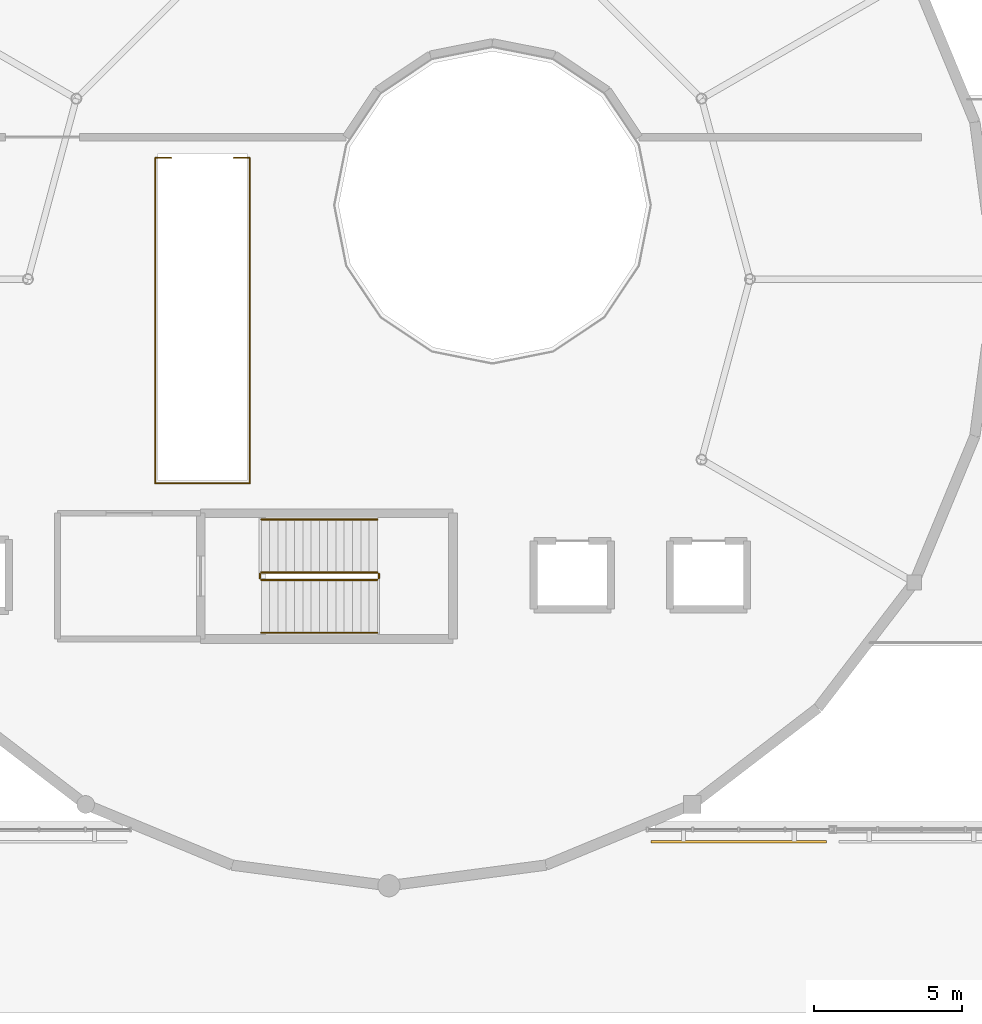
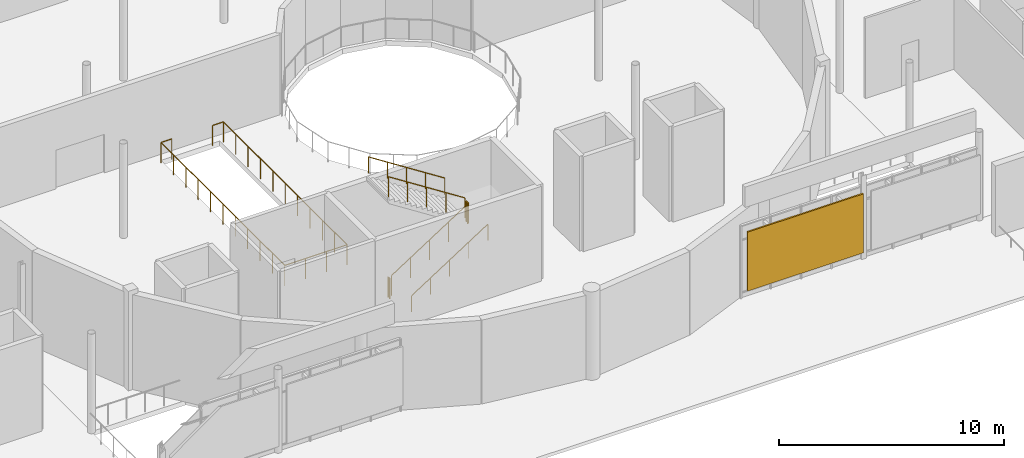
# One storey, part 93 of 105: 7 railings, 1 shading device.
"""IFC4 building model written with IfcOpenShell, lengths in metres."""

from ifc_helpers import new_model, si_unit, direction, frame, origin, origin_2d, place, context, subcontext, project, spatial, rectangle, circle, extrude, material, layer, layer_set, type_object, element, save


model = new_model("IFC4")

# Units and contexts
model_context = context("Model", 3, precision=1e-05, world=origin(), true_north=direction((0.0, 1.0)))
body_context = subcontext(model_context, "Body", "Model", "MODEL_VIEW")
ifc_project = project(units=[si_unit("LENGTHUNIT", "METRE"), si_unit("AREAUNIT", "SQUARE_METRE"), si_unit("VOLUMEUNIT", "CUBIC_METRE"), si_unit("PLANEANGLEUNIT", "RADIAN"), si_unit("MASSUNIT", "GRAM", prefix="KILO")], contexts=[model_context])

# Site, building, storey
site_placement = place(None, origin())
site = spatial("IfcSite", under=ifc_project, at=site_placement, CompositionType="ELEMENT")
building_placement = place(site_placement, origin())
building = spatial("IfcBuilding", under=site, at=building_placement, Name="Mirzam Square Science Centre", CompositionType="ELEMENT")
storey_placement = place(building_placement, frame((0.0, 0.0, 5.39990234375)))
storey = spatial("IfcBuildingStorey", under=building, at=storey_placement, Name="L01", CompositionType="ELEMENT", Elevation=5.39990234375)

# Railings
ifc_material_1 = material(Name="Bronze-Anodised Architectural Balustrade", Category="aluminium")
railing_type_1 = type_object("IfcRailingType", Name="RL-INT-GUARD-1100", PredefinedType="GUARDRAIL", material=ifc_material_1)
railing_1_placement = place(storey_placement, frame((76.68994140625, 51.840087890625, 0.18017578125)))
element("IfcRailing", 1, at=railing_1_placement, inside=storey, type_object=railing_type_1, Name="L01 ST-03 stair guard 1", PredefinedType="GUARDRAIL", context=body_context, shape_type="SweptSolid", body=[
    extrude(circle(Radius=0.02392578125, at=origin_2d()), frame((0.0, 0.0, 1.076171875), z_axis=(0.841186985886, 0.0, 0.540744352514), x_axis=(0.0, 1.0, 0.0)), (0.0, 0.0, 1.0), 4.660400390625),
    extrude(circle(Radius=0.02099609375, at=origin_2d()), origin(), (0.0, 0.0, 1.0), 1.052001953125),
    extrude(circle(Radius=0.02099609375, at=origin_2d()), frame((0.97998046875, 0.0, 0.6298828125)), (0.0, 0.0, 1.0), 1.052001953125),
    extrude(circle(Radius=0.02099609375, at=origin_2d()), frame((1.9599609375, 0.0, 1.260009765625)), (0.0, 0.0, 1.0), 1.052001953125),
    extrude(circle(Radius=0.02099609375, at=origin_2d()), frame((2.940185546875, 0.0, 1.89013671875)), (0.0, 0.0, 1.0), 1.052001953125),
    extrude(circle(Radius=0.02099609375, at=origin_2d()), frame((3.920166015625, 0.0, 2.52001953125)), (0.0, 0.0, 1.0), 1.052001953125),
])
railing_2_placement = place(storey_placement, frame((80.659912109375, 51.889892578125, 2.7001953125)))
element("IfcRailing", 2, at=railing_2_placement, inside=storey, type_object=railing_type_1, Name="L01 ST-03 stair guard 2", PredefinedType="GUARDRAIL", context=body_context, shape_type="SweptSolid", body=[
    extrude(circle(Radius=0.02392578125, at=origin_2d()), frame((0.0, 0.0, 1.076171875), z_axis=(0.0, 1.0, 0.0), x_axis=(-1.0, 0.0, 0.0)), (0.0, 0.0, 1.0), 0.150146484375),
    extrude(circle(Radius=0.02099609375, at=origin_2d()), origin(), (0.0, 0.0, 1.0), 1.052001953125),
    extrude(circle(Radius=0.02099609375, at=origin_2d()), frame((0.0, 0.150146484375, 0.0)), (0.0, 0.0, 1.0), 1.052001953125),
])
railing_3_placement = place(storey_placement, frame((80.610107421875, 52.090087890625, 2.880126953125)))
element("IfcRailing", 3, at=railing_3_placement, inside=storey, type_object=railing_type_1, Name="L01 ST-03 stair guard 3", PredefinedType="GUARDRAIL", context=body_context, shape_type="SweptSolid", body=[
    extrude(circle(Radius=0.02392578125, at=origin_2d()), frame((0.0, 0.0, 1.076171875), z_axis=(-0.841186985886, 0.0, 0.540744352514), x_axis=(0.0, -1.0, 0.0)), (0.0, 0.0, 1.0), 4.660400390625),
    extrude(circle(Radius=0.02099609375, at=origin_2d()), origin(), (0.0, 0.0, 1.0), 1.052001953125),
    extrude(circle(Radius=0.02099609375, at=origin_2d()), frame((-0.97998046875, 0.0, 0.6298828125)), (0.0, 0.0, 1.0), 1.052001953125),
    extrude(circle(Radius=0.02099609375, at=origin_2d()), frame((-1.9599609375, 0.0, 1.260009765625)), (0.0, 0.0, 1.0), 1.052001953125),
    extrude(circle(Radius=0.02099609375, at=origin_2d()), frame((-2.940185546875, 0.0, 1.89013671875)), (0.0, 0.0, 1.0), 1.052001953125),
    extrude(circle(Radius=0.02099609375, at=origin_2d()), frame((-3.920166015625, 0.0, 2.52001953125)), (0.0, 0.0, 1.0), 1.052001953125),
])
railing_4_placement = place(storey_placement, frame((76.639892578125, 51.889892578125, 0.0)))
element("IfcRailing", 4, at=railing_4_placement, inside=storey, type_object=railing_type_1, Name="L01 ST-03 stair guard 4", PredefinedType="GUARDRAIL", context=body_context, shape_type="SweptSolid", body=[
    extrude(circle(Radius=0.02392578125, at=origin_2d()), frame((0.0, 0.0, 1.076171875), z_axis=(0.0, 1.0, 0.0), x_axis=(-1.0, 0.0, 0.0)), (0.0, 0.0, 1.0), 0.150146484375),
    extrude(circle(Radius=0.02099609375, at=origin_2d()), origin(), (0.0, 0.0, 1.0), 1.052001953125),
    extrude(circle(Radius=0.02099609375, at=origin_2d()), frame((0.0, 0.150146484375, 0.0)), (0.0, 0.0, 1.0), 1.052001953125),
])
railing_5_placement = place(storey_placement, frame((75.75, 66.10009765625, 0.0)))
element("IfcRailing", 5, at=railing_5_placement, inside=storey, type_object=railing_type_1, Name="L01 rot-stair-void edge guard", PredefinedType="GUARDRAIL", context=body_context, shape_type="SweptSolid", body=[
    extrude(circle(Radius=0.02392578125, at=origin_2d()), frame((0.0, 0.0, 1.09619140625), z_axis=(1.0, 0.0, 0.0), x_axis=(0.0, 1.0, 0.0)), (0.0, 0.0, 1.0), 0.550048828125),
    extrude(circle(Radius=0.02392578125, at=origin_2d()), frame((0.550048828125, 0.0, 1.09619140625), z_axis=(0.0, -1.0, 0.0), x_axis=(1.0, 0.0, 0.0)), (0.0, 0.0, 1.0), 11.0),
    extrude(circle(Radius=0.02392578125, at=origin_2d()), frame((0.550048828125, -11.0, 1.09619140625), z_axis=(-1.0, 0.0, 0.0), x_axis=(0.0, -1.0, 0.0)), (0.0, 0.0, 1.0), 3.199951171875),
    extrude(circle(Radius=0.02392578125, at=origin_2d()), frame((-2.64990234375, -11.0, 1.09619140625), z_axis=(0.0, 1.0, 0.0), x_axis=(-1.0, 0.0, 0.0)), (0.0, 0.0, 1.0), 11.0),
    extrude(circle(Radius=0.02392578125, at=origin_2d()), frame((-2.64990234375, 0.0, 1.09619140625), z_axis=(1.0, 0.0, 0.0), x_axis=(0.0, 1.0, 0.0)), (0.0, 0.0, 1.0), 0.5498046875),
    extrude(circle(Radius=0.02099609375, at=origin_2d()), origin(), (0.0, 0.0, 1.0), 1.072021484375),
    extrude(circle(Radius=0.02099609375, at=origin_2d()), frame((0.550048828125, 0.0, 0.0)), (0.0, 0.0, 1.0), 1.072021484375),
    extrude(circle(Radius=0.02099609375, at=origin_2d()), frame((0.550048828125, -1.10009765625, 0.0)), (0.0, 0.0, 1.0), 1.072021484375),
    extrude(circle(Radius=0.02099609375, at=origin_2d()), frame((0.550048828125, -2.199951171875, 0.0)), (0.0, 0.0, 1.0), 1.072021484375),
    extrude(circle(Radius=0.02099609375, at=origin_2d()), frame((0.550048828125, -3.300048828125, 0.0)), (0.0, 0.0, 1.0), 1.072021484375),
    extrude(circle(Radius=0.02099609375, at=origin_2d()), frame((0.550048828125, -4.39990234375, 0.0)), (0.0, 0.0, 1.0), 1.072021484375),
    extrude(circle(Radius=0.02099609375, at=origin_2d()), frame((0.550048828125, -5.5, 0.0)), (0.0, 0.0, 1.0), 1.072021484375),
    extrude(circle(Radius=0.02099609375, at=origin_2d()), frame((0.550048828125, -6.60009765625, 0.0)), (0.0, 0.0, 1.0), 1.072021484375),
    extrude(circle(Radius=0.02099609375, at=origin_2d()), frame((0.550048828125, -7.699951171875, 0.0)), (0.0, 0.0, 1.0), 1.072021484375),
    extrude(circle(Radius=0.02099609375, at=origin_2d()), frame((0.550048828125, -8.800048828125, 0.0)), (0.0, 0.0, 1.0), 1.072021484375),
    extrude(circle(Radius=0.02099609375, at=origin_2d()), frame((0.550048828125, -9.89990234375, 0.0)), (0.0, 0.0, 1.0), 1.072021484375),
    extrude(circle(Radius=0.02099609375, at=origin_2d()), frame((0.550048828125, -11.0, 0.0)), (0.0, 0.0, 1.0), 1.072021484375),
    extrude(circle(Radius=0.02099609375, at=origin_2d()), frame((-0.5166015625, -11.0, 0.0)), (0.0, 0.0, 1.0), 1.072021484375),
    extrude(circle(Radius=0.02099609375, at=origin_2d()), frame((-1.583251953125, -11.0, 0.0)), (0.0, 0.0, 1.0), 1.072021484375),
    extrude(circle(Radius=0.02099609375, at=origin_2d()), frame((-2.64990234375, -11.0, 0.0)), (0.0, 0.0, 1.0), 1.072021484375),
    extrude(circle(Radius=0.02099609375, at=origin_2d()), frame((-2.64990234375, -9.89990234375, 0.0)), (0.0, 0.0, 1.0), 1.072021484375),
    extrude(circle(Radius=0.02099609375, at=origin_2d()), frame((-2.64990234375, -8.800048828125, 0.0)), (0.0, 0.0, 1.0), 1.072021484375),
    extrude(circle(Radius=0.02099609375, at=origin_2d()), frame((-2.64990234375, -7.699951171875, 0.0)), (0.0, 0.0, 1.0), 1.072021484375),
    extrude(circle(Radius=0.02099609375, at=origin_2d()), frame((-2.64990234375, -6.60009765625, 0.0)), (0.0, 0.0, 1.0), 1.072021484375),
    extrude(circle(Radius=0.02099609375, at=origin_2d()), frame((-2.64990234375, -5.5, 0.0)), (0.0, 0.0, 1.0), 1.072021484375),
    extrude(circle(Radius=0.02099609375, at=origin_2d()), frame((-2.64990234375, -4.39990234375, 0.0)), (0.0, 0.0, 1.0), 1.072021484375),
    extrude(circle(Radius=0.02099609375, at=origin_2d()), frame((-2.64990234375, -3.300048828125, 0.0)), (0.0, 0.0, 1.0), 1.072021484375),
    extrude(circle(Radius=0.02099609375, at=origin_2d()), frame((-2.64990234375, -2.199951171875, 0.0)), (0.0, 0.0, 1.0), 1.072021484375),
    extrude(circle(Radius=0.02099609375, at=origin_2d()), frame((-2.64990234375, -1.10009765625, 0.0)), (0.0, 0.0, 1.0), 1.072021484375),
    extrude(circle(Radius=0.02099609375, at=origin_2d()), frame((-2.64990234375, 0.0, 0.0)), (0.0, 0.0, 1.0), 1.072021484375),
    extrude(circle(Radius=0.02099609375, at=origin_2d()), frame((-2.10009765625, 0.0, 0.0)), (0.0, 0.0, 1.0), 1.072021484375),
])
ifc_material_2 = material(Name="Brushed Bronze Tubular Handrail", Category="aluminium")
railing_type_2 = type_object("IfcRailingType", Name="RL-STAIR-HANDRAIL-900", PredefinedType="HANDRAIL", material=ifc_material_2)
railing_6_placement = place(storey_placement, frame((76.68994140625, 50.050048828125, 0.3720703125)))
element("IfcRailing", 6, at=railing_6_placement, inside=storey, type_object=railing_type_2, Name="L01 ST-03 stair handrail 1", PredefinedType="HANDRAIL", context=body_context, shape_type="SweptSolid", body=[
    extrude(circle(Radius=0.02392578125, at=origin_2d()), frame((0.0, 0.0, 0.8759765625), z_axis=(0.841186985886, 0.0, 0.540744352514), x_axis=(0.0, 1.0, 0.0)), (0.0, 0.0, 1.0), 4.660400390625),
    extrude(circle(Radius=0.02099609375, at=origin_2d()), origin(), (0.0, 0.0, 1.0), 0.851806640625),
    extrude(circle(Radius=0.02099609375, at=origin_2d()), frame((0.97998046875, 0.0, 0.6298828125)), (0.0, 0.0, 1.0), 0.851806640625),
    extrude(circle(Radius=0.02099609375, at=origin_2d()), frame((1.9599609375, 0.0, 1.260009765625)), (0.0, 0.0, 1.0), 0.851806640625),
    extrude(circle(Radius=0.02099609375, at=origin_2d()), frame((2.940185546875, 0.0, 1.89013671875)), (0.0, 0.0, 1.0), 0.851806640625),
    extrude(circle(Radius=0.02099609375, at=origin_2d()), frame((3.920166015625, 0.0, 2.52001953125)), (0.0, 0.0, 1.0), 0.851806640625),
])
railing_7_placement = place(storey_placement, frame((80.610107421875, 53.8798828125, 3.072021484375)))
element("IfcRailing", 7, at=railing_7_placement, inside=storey, type_object=railing_type_2, Name="L01 ST-03 stair handrail 2", PredefinedType="HANDRAIL", context=body_context, shape_type="SweptSolid", body=[
    extrude(circle(Radius=0.02392578125, at=origin_2d()), frame((0.0, 0.0, 0.8759765625), z_axis=(-0.841186985886, 0.0, 0.540744352514), x_axis=(0.0, -1.0, 0.0)), (0.0, 0.0, 1.0), 4.660400390625),
    extrude(circle(Radius=0.02099609375, at=origin_2d()), origin(), (0.0, 0.0, 1.0), 0.851806640625),
    extrude(circle(Radius=0.02099609375, at=origin_2d()), frame((-0.97998046875, 0.0, 0.6298828125)), (0.0, 0.0, 1.0), 0.851806640625),
    extrude(circle(Radius=0.02099609375, at=origin_2d()), frame((-1.9599609375, 0.0, 1.260009765625)), (0.0, 0.0, 1.0), 0.851806640625),
    extrude(circle(Radius=0.02099609375, at=origin_2d()), frame((-2.940185546875, 0.0, 1.89013671875)), (0.0, 0.0, 1.0), 0.851806640625),
    extrude(circle(Radius=0.02099609375, at=origin_2d()), frame((-3.920166015625, 0.0, 2.52001953125)), (0.0, 0.0, 1.0), 0.851806640625),
])

# Shading device
ifc_material_3 = material(Name="Perforated Bronze-Anodised Aluminium Brise-Soleil", Category="aluminium")
ifc_layer = layer(ifc_material_3, 0.080078125)
ifc_layer_set = layer_set([ifc_layer], Name="SHD-BRISE-BRONZE")
shading_device_type = type_object("IfcShadingDeviceType", Name="SHD-BRISE-BRONZE", PredefinedType="JALOUSIE", material=ifc_layer_set)
shading_device_placement = place(storey_placement, frame((92.824951171875, 42.989990234375, 1.2001953125), z_axis=(0.0, 0.0, 1.0), x_axis=(1.0, 0.0, 0.0)))
element("IfcShadingDevice", 8, at=shading_device_placement, inside=storey, type_object=shading_device_type, Name="L01 bronze brise-soleil screen 47", PredefinedType="JALOUSIE", context=body_context, shape_type="SweptSolid", body=[
    extrude(rectangle(XDim=5.93994140625, YDim=0.080078125, at=origin_2d()), origin(), (0.0, 0.0, 1.0), 3.199951171875),
])

save(model, "model.ifc")
